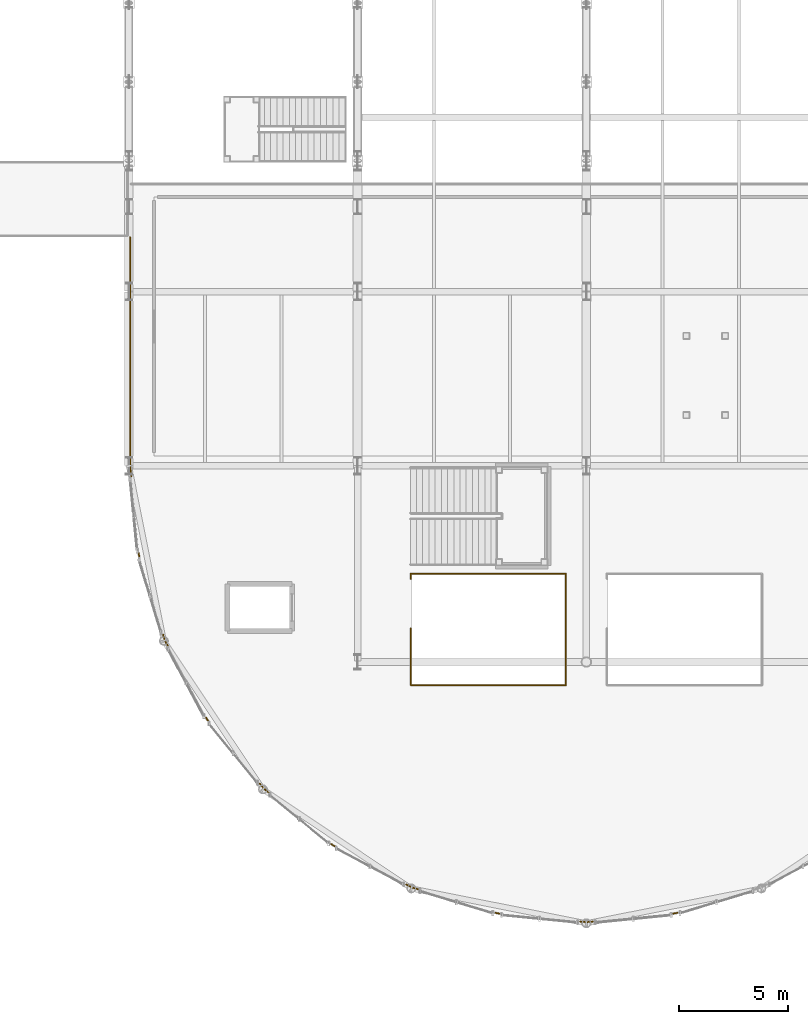
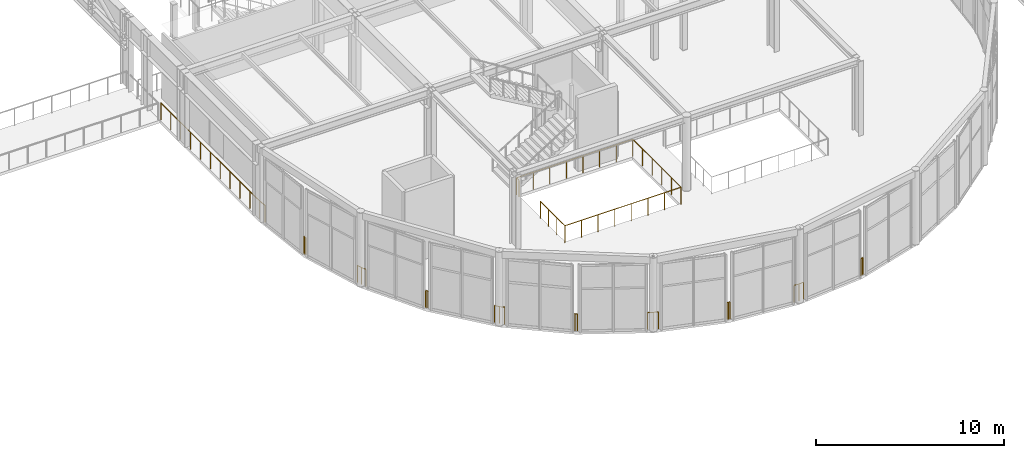
# One storey, part 119 of 143: 12 railings.
"""IFC4 building model written with IfcOpenShell, lengths in metres."""

from ifc_helpers import new_model, si_unit, direction, frame, origin, origin_2d, place, context, subcontext, project, spatial, circle, extrude, material, type_object, element, save


model = new_model("IFC4")

# Units and contexts
model_context = context("Model", 3, precision=1e-05, world=origin(), true_north=direction((0.0, 1.0)))
body_context = subcontext(model_context, "Body", "Model", "MODEL_VIEW")
ifc_project = project(units=[si_unit("LENGTHUNIT", "METRE"), si_unit("AREAUNIT", "SQUARE_METRE"), si_unit("VOLUMEUNIT", "CUBIC_METRE"), si_unit("PLANEANGLEUNIT", "RADIAN"), si_unit("MASSUNIT", "GRAM", prefix="KILO")], contexts=[model_context])

# Site, building, storey
site_placement = place(None, origin())
site = spatial("IfcSite", under=ifc_project, at=site_placement, CompositionType="ELEMENT")
building_placement = place(site_placement, origin())
building = spatial("IfcBuilding", under=site, at=building_placement, Name="Marlcrest Central Station", CompositionType="ELEMENT")
storey_placement = place(building_placement, frame((0.0, 0.0, 4.800048828125)))
storey = spatial("IfcBuildingStorey", under=building, at=storey_placement, Name="L01", CompositionType="ELEMENT", Elevation=4.800048828125)

# Railings
ifc_material = material(Name="Stainless steel and laminated glass concourse balustrade", Category="steel")
railing_type = type_object("IfcRailingType", Name="GR-02", PredefinedType="BALUSTRADE", material=ifc_material)
railing_1_placement = place(storey_placement, frame((112.1708984375, 1.989013671875, 0.0)))
element("IfcRailing", 1, at=railing_1_placement, inside=storey, type_object=railing_type, Name="hr-L01-00411", PredefinedType="BALUSTRADE", context=body_context, shape_type="SweptSolid", body=[
    extrude(circle(Radius=0.02392578125, at=origin_2d()), frame((0.0, 0.0, 1.09619140625), z_axis=(-0.956772580042, -0.290837119501, 0.0), x_axis=(0.290837119501, -0.956772580042, 0.0)), (0.0, 0.0, 1.0), 0.08984375),
    extrude(circle(Radius=0.02392578125, at=origin_2d()), frame((-0.0859375, -0.026123046875, 1.09619140625), z_axis=(-0.995144874966, -0.0984209217, 0.0), x_axis=(0.0984209217, -0.995144874966, 0.0)), (0.0, 0.0, 1.0), 0.08935546875),
    extrude(circle(Radius=0.02099609375, at=origin_2d()), origin(), (0.0, 0.0, 1.0), 1.072021484375),
    extrude(circle(Radius=0.02099609375, at=origin_2d()), frame((-0.0859375, -0.026123046875, 0.0)), (0.0, 0.0, 1.0), 1.072021484375),
    extrude(circle(Radius=0.02099609375, at=origin_2d()), frame((-0.1748046875, -0.034912109375, 0.0)), (0.0, 0.0, 1.0), 1.072021484375),
])
railing_2_placement = place(storey_placement, frame((108.285888671875, 1.589111328125, 0.0)))
element("IfcRailing", 2, at=railing_2_placement, inside=storey, type_object=railing_type, Name="hr-L01-00412", PredefinedType="BALUSTRADE", context=body_context, shape_type="SweptSolid", body=[
    extrude(circle(Radius=0.02392578125, at=origin_2d()), frame((0.0, 0.0, 1.09619140625), z_axis=(-0.994876081784, -0.101101839225, 0.0), x_axis=(0.101101839225, -0.994876081784, 0.0)), (0.0, 0.0, 1.0), 0.287353515625),
    extrude(circle(Radius=0.02392578125, at=origin_2d()), frame((-0.285888671875, -0.029052734375, 1.09619140625), z_axis=(-0.994876081784, 0.101101839225, 0.0), x_axis=(-0.101101839225, -0.994876081784, 0.0)), (0.0, 0.0, 1.0), 0.287353515625),
    extrude(circle(Radius=0.02099609375, at=origin_2d()), origin(), (0.0, 0.0, 1.0), 1.072021484375),
    extrude(circle(Radius=0.02099609375, at=origin_2d()), frame((-0.285888671875, -0.029052734375, 0.0)), (0.0, 0.0, 1.0), 1.072021484375),
    extrude(circle(Radius=0.02099609375, at=origin_2d()), frame((-0.57177734375, 0.0, 0.0)), (0.0, 0.0, 1.0), 1.072021484375),
])
railing_3_placement = place(storey_placement, frame((104.00390625, 1.9541015625, 0.0)))
element("IfcRailing", 3, at=railing_3_placement, inside=storey, type_object=railing_type, Name="hr-L01-00413", PredefinedType="BALUSTRADE", context=body_context, shape_type="SweptSolid", body=[
    extrude(circle(Radius=0.02392578125, at=origin_2d()), frame((0.0, 0.0, 1.09619140625), z_axis=(-0.995144874966, 0.0984209217, 0.0), x_axis=(-0.0984209217, -0.995144874966, 0.0)), (0.0, 0.0, 1.0), 0.08935546875),
    extrude(circle(Radius=0.02392578125, at=origin_2d()), frame((-0.0888671875, 0.0087890625, 1.09619140625), z_axis=(-0.956772580042, 0.290837119501, 0.0), x_axis=(-0.290837119501, -0.956772580042, 0.0)), (0.0, 0.0, 1.0), 0.08984375),
    extrude(circle(Radius=0.02099609375, at=origin_2d()), origin(), (0.0, 0.0, 1.0), 1.072021484375),
    extrude(circle(Radius=0.02099609375, at=origin_2d()), frame((-0.0888671875, 0.0087890625, 0.0)), (0.0, 0.0, 1.0), 1.072021484375),
    extrude(circle(Radius=0.02099609375, at=origin_2d()), frame((-0.1748046875, 0.034912109375, 0.0)), (0.0, 0.0, 1.0), 1.072021484375),
])
railing_4_placement = place(storey_placement, frame((100.262939453125, 3.071044921875, 0.0)))
element("IfcRailing", 4, at=railing_4_placement, inside=storey, type_object=railing_type, Name="hr-L01-00414", PredefinedType="BALUSTRADE", context=body_context, shape_type="SweptSolid", body=[
    extrude(circle(Radius=0.02392578125, at=origin_2d()), frame((0.0, 0.0, 1.09619140625), z_axis=(-0.956653372273, 0.291228991205, 0.0), x_axis=(-0.291228991205, -0.956653372273, 0.0)), (0.0, 0.0, 1.0), 0.288330078125),
    extrude(circle(Radius=0.02392578125, at=origin_2d()), frame((-0.27587890625, 0.083984375, 1.09619140625), z_axis=(-0.883126703113, 0.469134550261, 0.0), x_axis=(-0.469134550261, -0.883126703113, 0.0)), (0.0, 0.0, 1.0), 0.287841796875),
    extrude(circle(Radius=0.02099609375, at=origin_2d()), origin(), (0.0, 0.0, 1.0), 1.072021484375),
    extrude(circle(Radius=0.02099609375, at=origin_2d()), frame((-0.27587890625, 0.083984375, 0.0)), (0.0, 0.0, 1.0), 1.072021484375),
    extrude(circle(Radius=0.02099609375, at=origin_2d()), frame((-0.530029296875, 0.218994140625, 0.0)), (0.0, 0.0, 1.0), 1.072021484375),
])
railing_5_placement = place(storey_placement, frame((96.446044921875, 5.047119140625, 0.0)))
element("IfcRailing", 5, at=railing_5_placement, inside=storey, type_object=railing_type, Name="hr-L01-00415", PredefinedType="BALUSTRADE", context=body_context, shape_type="SweptSolid", body=[
    extrude(circle(Radius=0.02392578125, at=origin_2d()), frame((0.0, 0.0, 1.09619140625), z_axis=(-0.885620050665, 0.464410514373, 0.0), x_axis=(-0.464410514373, -0.885620050665, 0.0)), (0.0, 0.0, 1.0), 0.09033203125),
    extrude(circle(Radius=0.02392578125, at=origin_2d()), frame((-0.080078125, 0.0419921875, 1.09619140625), z_axis=(-0.770903388504, 0.636952090501, 0.0), x_axis=(-0.636952090501, -0.770903388504, 0.0)), (0.0, 0.0, 1.0), 0.08935546875),
    extrude(circle(Radius=0.02099609375, at=origin_2d()), origin(), (0.0, 0.0, 1.0), 1.072021484375),
    extrude(circle(Radius=0.02099609375, at=origin_2d()), frame((-0.080078125, 0.0419921875, 0.0)), (0.0, 0.0, 1.0), 1.072021484375),
    extrude(circle(Radius=0.02099609375, at=origin_2d()), frame((-0.14892578125, 0.098876953125, 0.0)), (0.0, 0.0, 1.0), 1.072021484375),
])
railing_6_placement = place(storey_placement, frame((93.416015625, 7.510986328125, 0.0)))
element("IfcRailing", 6, at=railing_6_placement, inside=storey, type_object=railing_type, Name="hr-L01-00416", PredefinedType="BALUSTRADE", context=body_context, shape_type="SweptSolid", body=[
    extrude(circle(Radius=0.02392578125, at=origin_2d()), frame((0.0, 0.0, 1.09619140625), z_axis=(-0.771342036425, 0.636420822133, 0.0), x_axis=(-0.636420822133, -0.771342036425, 0.0)), (0.0, 0.0, 1.0), 0.28759765625),
    extrude(circle(Radius=0.02392578125, at=origin_2d()), frame((-0.221923828125, 0.18310546875, 1.09619140625), z_axis=(-0.636420822133, 0.771342036425, 0.0), x_axis=(-0.771342036425, -0.636420822133, 0.0)), (0.0, 0.0, 1.0), 0.28759765625),
    extrude(circle(Radius=0.02099609375, at=origin_2d()), origin(), (0.0, 0.0, 1.0), 1.072021484375),
    extrude(circle(Radius=0.02099609375, at=origin_2d()), frame((-0.221923828125, 0.18310546875, 0.0)), (0.0, 0.0, 1.0), 1.072021484375),
    extrude(circle(Radius=0.02099609375, at=origin_2d()), frame((-0.405029296875, 0.405029296875, 0.0)), (0.0, 0.0, 1.0), 1.072021484375),
])
railing_7_placement = place(storey_placement, frame((90.64599609375, 10.797119140625, 0.0)))
element("IfcRailing", 7, at=railing_7_placement, inside=storey, type_object=railing_type, Name="hr-L01-00417", PredefinedType="BALUSTRADE", context=body_context, shape_type="SweptSolid", body=[
    extrude(circle(Radius=0.02392578125, at=origin_2d()), frame((0.0, 0.0, 1.09619140625), z_axis=(-0.636952090501, 0.770903388504, 0.0), x_axis=(-0.770903388504, -0.636952090501, 0.0)), (0.0, 0.0, 1.0), 0.08935546875),
    extrude(circle(Radius=0.02392578125, at=origin_2d()), frame((-0.056884765625, 0.06884765625, 1.09619140625), z_axis=(-0.464410514373, 0.885620050665, 0.0), x_axis=(-0.885620050665, -0.464410514373, 0.0)), (0.0, 0.0, 1.0), 0.09033203125),
    extrude(circle(Radius=0.02099609375, at=origin_2d()), origin(), (0.0, 0.0, 1.0), 1.072021484375),
    extrude(circle(Radius=0.02099609375, at=origin_2d()), frame((-0.056884765625, 0.06884765625, 0.0)), (0.0, 0.0, 1.0), 1.072021484375),
    extrude(circle(Radius=0.02099609375, at=origin_2d()), frame((-0.098876953125, 0.14892578125, 0.0)), (0.0, 0.0, 1.0), 1.072021484375),
])
railing_8_placement = place(storey_placement, frame((88.7900390625, 14.23291015625, 0.0)))
element("IfcRailing", 8, at=railing_8_placement, inside=storey, type_object=railing_type, Name="hr-L01-00418", PredefinedType="BALUSTRADE", context=body_context, shape_type="SweptSolid", body=[
    extrude(circle(Radius=0.02392578125, at=origin_2d()), frame((0.0, 0.0, 1.09619140625), z_axis=(-0.469134550261, 0.883126703113, 0.0), x_axis=(-0.883126703113, -0.469134550261, 0.0)), (0.0, 0.0, 1.0), 0.287841796875),
    extrude(circle(Radius=0.02392578125, at=origin_2d()), frame((-0.135009765625, 0.254150390625, 1.09619140625), z_axis=(-0.291228991205, 0.956653372273, 0.0), x_axis=(-0.956653372273, -0.291228991205, 0.0)), (0.0, 0.0, 1.0), 0.288330078125),
    extrude(circle(Radius=0.02099609375, at=origin_2d()), origin(), (0.0, 0.0, 1.0), 1.072021484375),
    extrude(circle(Radius=0.02099609375, at=origin_2d()), frame((-0.135009765625, 0.254150390625, 0.0)), (0.0, 0.0, 1.0), 1.072021484375),
    extrude(circle(Radius=0.02099609375, at=origin_2d()), frame((-0.218994140625, 0.530029296875, 0.0)), (0.0, 0.0, 1.0), 1.072021484375),
])
railing_9_placement = place(storey_placement, frame((87.489013671875, 18.3291015625, 0.0)))
element("IfcRailing", 9, at=railing_9_placement, inside=storey, type_object=railing_type, Name="hr-L01-00419", PredefinedType="BALUSTRADE", context=body_context, shape_type="SweptSolid", body=[
    extrude(circle(Radius=0.02392578125, at=origin_2d()), frame((0.0, 0.0, 1.09619140625), z_axis=(-0.290837119501, 0.956772580042, 0.0), x_axis=(-0.956772580042, -0.290837119501, 0.0)), (0.0, 0.0, 1.0), 0.08984375),
    extrude(circle(Radius=0.02392578125, at=origin_2d()), frame((-0.026123046875, 0.0859375, 1.09619140625), z_axis=(-0.0984209217, 0.995144874966, 0.0), x_axis=(-0.995144874966, -0.0984209217, 0.0)), (0.0, 0.0, 1.0), 0.08935546875),
    extrude(circle(Radius=0.02099609375, at=origin_2d()), origin(), (0.0, 0.0, 1.0), 1.072021484375),
    extrude(circle(Radius=0.02099609375, at=origin_2d()), frame((-0.026123046875, 0.0859375, 0.0)), (0.0, 0.0, 1.0), 1.072021484375),
    extrude(circle(Radius=0.02099609375, at=origin_2d()), frame((-0.034912109375, 0.1748046875, 0.0)), (0.0, 0.0, 1.0), 1.072021484375),
])
railing_10_placement = place(storey_placement, frame((87.10791015625, 22.01806640625, 0.0)))
element("IfcRailing", 10, at=railing_10_placement, inside=storey, type_object=railing_type, Name="hr-L01-00420", PredefinedType="BALUSTRADE", context=body_context, shape_type="SweptSolid", body=[
    extrude(circle(Radius=0.02392578125, at=origin_2d()), frame((0.0, 0.0, 1.09619140625), z_axis=(-0.098213699968, 0.995165347638, 0.0), x_axis=(-0.995165347638, -0.098213699968, 0.0)), (0.0, 0.0, 1.0), 0.4873046875),
    extrude(circle(Radius=0.02392578125, at=origin_2d()), frame((-0.0478515625, 0.48486328125, 1.09619140625), z_axis=(0.0, 1.0, 0.0), x_axis=(-1.0, 0.0, 0.0)), (0.0, 0.0, 1.0), 10.485107421875),
    extrude(circle(Radius=0.02099609375, at=origin_2d()), origin(), (0.0, 0.0, 1.0), 1.072021484375),
    extrude(circle(Radius=0.02099609375, at=origin_2d()), frame((-0.0478515625, 0.48486328125, 0.0)), (0.0, 0.0, 1.0), 1.072021484375),
    extrude(circle(Radius=0.02099609375, at=origin_2d()), frame((-0.0478515625, 1.533447265625, 0.0)), (0.0, 0.0, 1.0), 1.072021484375),
    extrude(circle(Radius=0.02099609375, at=origin_2d()), frame((-0.0478515625, 2.581787109375, 0.0)), (0.0, 0.0, 1.0), 1.072021484375),
    extrude(circle(Radius=0.02099609375, at=origin_2d()), frame((-0.0478515625, 3.63037109375, 0.0)), (0.0, 0.0, 1.0), 1.072021484375),
    extrude(circle(Radius=0.02099609375, at=origin_2d()), frame((-0.0478515625, 4.678955078125, 0.0)), (0.0, 0.0, 1.0), 1.072021484375),
    extrude(circle(Radius=0.02099609375, at=origin_2d()), frame((-0.0478515625, 5.7275390625, 0.0)), (0.0, 0.0, 1.0), 1.072021484375),
    extrude(circle(Radius=0.02099609375, at=origin_2d()), frame((-0.0478515625, 6.77587890625, 0.0)), (0.0, 0.0, 1.0), 1.072021484375),
    extrude(circle(Radius=0.02099609375, at=origin_2d()), frame((-0.0478515625, 7.824462890625, 0.0)), (0.0, 0.0, 1.0), 1.072021484375),
    extrude(circle(Radius=0.02099609375, at=origin_2d()), frame((-0.0478515625, 8.873046875, 0.0)), (0.0, 0.0, 1.0), 1.072021484375),
    extrude(circle(Radius=0.02099609375, at=origin_2d()), frame((-0.0478515625, 9.92138671875, 0.0)), (0.0, 0.0, 1.0), 1.072021484375),
    extrude(circle(Radius=0.02099609375, at=origin_2d()), frame((-0.0478515625, 10.969970703125, 0.0)), (0.0, 0.0, 1.0), 1.072021484375),
])
railing_11_placement = place(storey_placement, frame((107.06005859375, 12.43994140625, 0.0)))
element("IfcRailing", 11, at=railing_11_placement, inside=storey, type_object=railing_type, Name="hr-L01-00424", PredefinedType="BALUSTRADE", context=body_context, shape_type="SweptSolid", body=[
    extrude(circle(Radius=0.02392578125, at=origin_2d()), frame((0.0, 0.0, 1.09619140625), z_axis=(0.0, 1.0, 0.0), x_axis=(-1.0, 0.0, 0.0)), (0.0, 0.0, 1.0), 5.1201171875),
    extrude(circle(Radius=0.02392578125, at=origin_2d()), frame((0.0, 5.1201171875, 1.09619140625), z_axis=(-1.0, 0.0, 0.0), x_axis=(0.0, -1.0, 0.0)), (0.0, 0.0, 1.0), 7.1201171875),
    extrude(circle(Radius=0.02392578125, at=origin_2d()), frame((-7.1201171875, 5.1201171875, 1.09619140625), z_axis=(0.0, -1.0, 0.0), x_axis=(1.0, 0.0, 0.0)), (0.0, 0.0, 1.0), 0.239990234375),
    extrude(circle(Radius=0.02099609375, at=origin_2d()), origin(), (0.0, 0.0, 1.0), 1.072021484375),
    extrude(circle(Radius=0.02099609375, at=origin_2d()), frame((0.0, 1.02392578125, 0.0)), (0.0, 0.0, 1.0), 1.072021484375),
    extrude(circle(Radius=0.02099609375, at=origin_2d()), frame((0.0, 2.048095703125, 0.0)), (0.0, 0.0, 1.0), 1.072021484375),
    extrude(circle(Radius=0.02099609375, at=origin_2d()), frame((0.0, 3.072021484375, 0.0)), (0.0, 0.0, 1.0), 1.072021484375),
    extrude(circle(Radius=0.02099609375, at=origin_2d()), frame((0.0, 4.09619140625, 0.0)), (0.0, 0.0, 1.0), 1.072021484375),
    extrude(circle(Radius=0.02099609375, at=origin_2d()), frame((0.0, 5.1201171875, 0.0)), (0.0, 0.0, 1.0), 1.072021484375),
    extrude(circle(Radius=0.02099609375, at=origin_2d()), frame((-1.01708984375, 5.1201171875, 0.0)), (0.0, 0.0, 1.0), 1.072021484375),
    extrude(circle(Radius=0.02099609375, at=origin_2d()), frame((-2.034423828125, 5.1201171875, 0.0)), (0.0, 0.0, 1.0), 1.072021484375),
    extrude(circle(Radius=0.02099609375, at=origin_2d()), frame((-3.051513671875, 5.1201171875, 0.0)), (0.0, 0.0, 1.0), 1.072021484375),
    extrude(circle(Radius=0.02099609375, at=origin_2d()), frame((-4.068603515625, 5.1201171875, 0.0)), (0.0, 0.0, 1.0), 1.072021484375),
    extrude(circle(Radius=0.02099609375, at=origin_2d()), frame((-5.085693359375, 5.1201171875, 0.0)), (0.0, 0.0, 1.0), 1.072021484375),
    extrude(circle(Radius=0.02099609375, at=origin_2d()), frame((-6.10302734375, 5.1201171875, 0.0)), (0.0, 0.0, 1.0), 1.072021484375),
    extrude(circle(Radius=0.02099609375, at=origin_2d()), frame((-7.1201171875, 5.1201171875, 0.0)), (0.0, 0.0, 1.0), 1.072021484375),
    extrude(circle(Radius=0.02099609375, at=origin_2d()), frame((-7.1201171875, 4.880126953125, 0.0)), (0.0, 0.0, 1.0), 1.072021484375),
])
railing_12_placement = place(storey_placement, frame((99.93994140625, 15.0400390625, 0.0)))
element("IfcRailing", 12, at=railing_12_placement, inside=storey, type_object=railing_type, Name="hr-L01-00425", PredefinedType="BALUSTRADE", context=body_context, shape_type="SweptSolid", body=[
    extrude(circle(Radius=0.02392578125, at=origin_2d()), frame((0.0, 0.0, 1.09619140625), z_axis=(0.0, -1.0, 0.0), x_axis=(1.0, 0.0, 0.0)), (0.0, 0.0, 1.0), 2.60009765625),
    extrude(circle(Radius=0.02392578125, at=origin_2d()), frame((0.0, -2.60009765625, 1.09619140625), z_axis=(1.0, 0.0, 0.0), x_axis=(0.0, 1.0, 0.0)), (0.0, 0.0, 1.0), 7.1201171875),
    extrude(circle(Radius=0.02099609375, at=origin_2d()), origin(), (0.0, 0.0, 1.0), 1.072021484375),
    extrude(circle(Radius=0.02099609375, at=origin_2d()), frame((0.0, -0.86669921875, 0.0)), (0.0, 0.0, 1.0), 1.072021484375),
    extrude(circle(Radius=0.02099609375, at=origin_2d()), frame((0.0, -1.7333984375, 0.0)), (0.0, 0.0, 1.0), 1.072021484375),
    extrude(circle(Radius=0.02099609375, at=origin_2d()), frame((0.0, -2.60009765625, 0.0)), (0.0, 0.0, 1.0), 1.072021484375),
    extrude(circle(Radius=0.02099609375, at=origin_2d()), frame((1.01708984375, -2.60009765625, 0.0)), (0.0, 0.0, 1.0), 1.072021484375),
    extrude(circle(Radius=0.02099609375, at=origin_2d()), frame((2.034423828125, -2.60009765625, 0.0)), (0.0, 0.0, 1.0), 1.072021484375),
    extrude(circle(Radius=0.02099609375, at=origin_2d()), frame((3.051513671875, -2.60009765625, 0.0)), (0.0, 0.0, 1.0), 1.072021484375),
    extrude(circle(Radius=0.02099609375, at=origin_2d()), frame((4.068603515625, -2.60009765625, 0.0)), (0.0, 0.0, 1.0), 1.072021484375),
    extrude(circle(Radius=0.02099609375, at=origin_2d()), frame((5.085693359375, -2.60009765625, 0.0)), (0.0, 0.0, 1.0), 1.072021484375),
    extrude(circle(Radius=0.02099609375, at=origin_2d()), frame((6.10302734375, -2.60009765625, 0.0)), (0.0, 0.0, 1.0), 1.072021484375),
    extrude(circle(Radius=0.02099609375, at=origin_2d()), frame((7.1201171875, -2.60009765625, 0.0)), (0.0, 0.0, 1.0), 1.072021484375),
])

save(model, "model.ifc")
